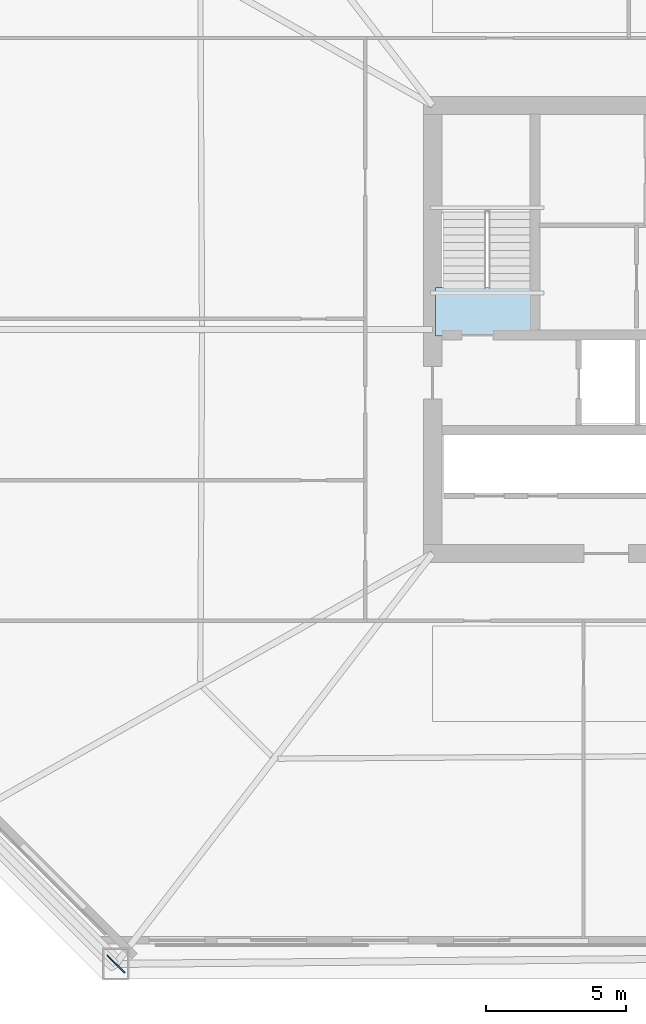
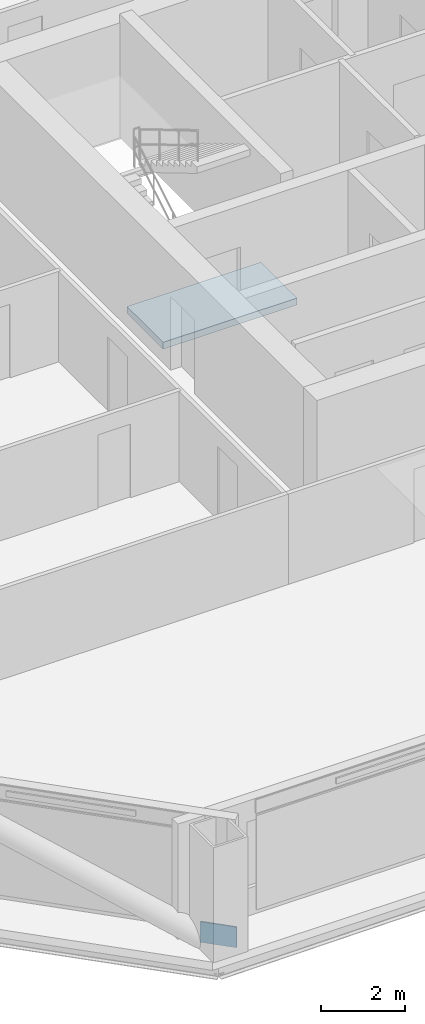
# One storey, part 2 of 11: 1 plate, 1 slab, 1 element without a shape of its own.
"""IFC4 building model written with IfcOpenShell, lengths in metres."""

from ifc_helpers import new_model, si_unit, direction, frame, origin, origin_2d, place, context, subcontext, project, spatial, polyline, rectangle, outline, extrude, material, layer, layer_set, type_object, element, aggregate, save


model = new_model("IFC4")

# Units and contexts
model_context = context("Model", 3, precision=1e-05, world=origin(), true_north=direction((0.0, 1.0)))
body_context = subcontext(model_context, "Body", "Model", "MODEL_VIEW")
ifc_project = project(units=[si_unit("LENGTHUNIT", "METRE"), si_unit("AREAUNIT", "SQUARE_METRE"), si_unit("VOLUMEUNIT", "CUBIC_METRE"), si_unit("PLANEANGLEUNIT", "RADIAN"), si_unit("MASSUNIT", "GRAM", prefix="KILO")], contexts=[model_context])

# Site, building, storey
site_placement = place(None, origin())
site = spatial("IfcSite", under=ifc_project, at=site_placement, CompositionType="ELEMENT")
building_placement = place(site_placement, origin())
building = spatial("IfcBuilding", under=site, at=building_placement, Name="Caelvoria Tower", CompositionType="ELEMENT")
storey_placement = place(building_placement, frame((0.0, 0.0, 74.800048828125)))
storey = spatial("IfcBuildingStorey", under=building, at=storey_placement, Name="L19", CompositionType="ELEMENT", Elevation=74.800048828125)

# Plate
ifc_material_1 = material(Name="Structural Steel ASTM A572 Gr.50", Category="steel")
ifc_layer_1 = layer(ifc_material_1, 0.0400390625, Name="Structural Steel ASTM A572 Gr.50")
ifc_layer_set_1 = layer_set([ifc_layer_1], Name="Megaframe Node Gusset Plate 900x600x40 - Structural Steel ASTM A572 Gr.50")
plate_type = type_object("IfcPlateType", Name="Megaframe Node Gusset Plate 900x600x40", PredefinedType="USERDEFINED", material=ifc_layer_set_1)
plate_placement = place(storey_placement, frame((25.6806640625, 9.336181640625, 0.02001953125), z_axis=(0.0, 0.0, 1.0), x_axis=(-0.708211700313, 0.706000132819, 0.0)))
element("IfcPlate", 1, at=plate_placement, inside=storey, type_object=plate_type, Name="Chamfer Mega Brace Gusset L19 SW", ObjectType="GUSSET_PLATE", PredefinedType="USERDEFINED", context=body_context, shape_type="SweptSolid", body=[
    extrude(rectangle(XDim=0.89990234375, YDim=0.0400390625, at=origin_2d()), origin(), (0.0, 0.0, 1.0), 0.60009765625),
])

# Stair, slab
ifc_material_2 = material(Name="Concrete C40/50", Category="concrete")
stair_type = type_object("IfcStairType", Name="Core Smokeproof Dogleg Stair Concrete C40/50", PredefinedType="HALF_TURN_STAIR", material=ifc_material_2)
stair_placement = place(storey_placement, origin())
stair = element("IfcStair", 2, at=stair_placement, inside=storey, type_object=stair_type, Name="ST-01 Smokeproof Exit Stair L19", PredefinedType="HALF_TURN_STAIR")
ifc_layer_2 = layer(ifc_material_2, 0.199951171875, Name="Concrete C40/50")
ifc_layer_set_2 = layer_set([ifc_layer_2], Name="Stair Half and Floor Landing Slab 200 Concrete C40/50 - Concrete C40/50")
slab_type = type_object("IfcSlabType", Name="Stair Half and Floor Landing Slab 200 Concrete C40/50", PredefinedType="LANDING", material=ifc_layer_set_2)
slab_placement = place(storey_placement, frame((0.0, 0.0, -0.199951171875)))
slab = element("IfcSlab", 3, at=slab_placement, type_object=slab_type, Name="ST-01 landing 1", PredefinedType="LANDING", context=body_context, shape_type="SweptSolid", body=[
    extrude(outline(polyline([(37.10009765625, 31.77001953125), (40.800048828125, 31.77001953125), (40.800048828125, 33.5), (37.10009765625, 33.5), (37.10009765625, 31.77001953125)])), origin(), (0.0, 0.0, 1.0), 0.199951171875),
])
aggregate(stair, [slab])

save(model, "model.ifc")
